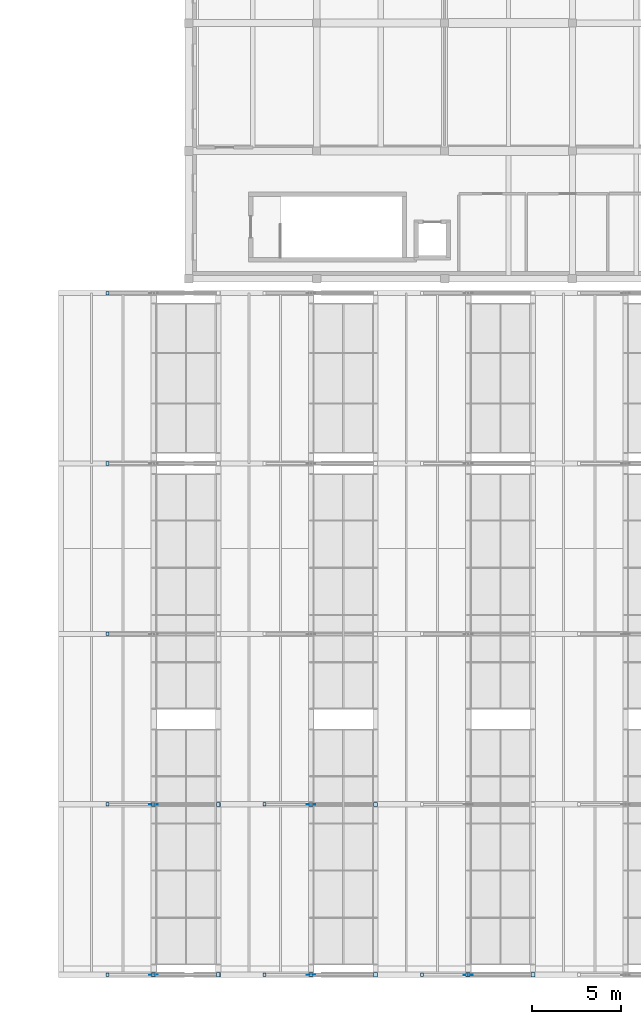
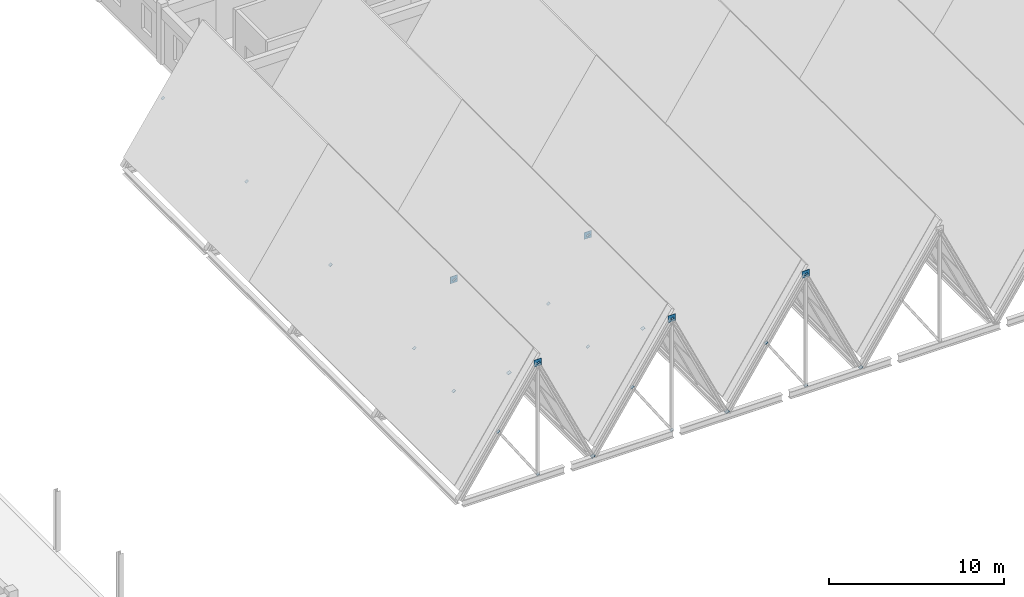
# One storey, part 77 of 99: 28 plates.
"""IFC4 building model written with IfcOpenShell, lengths in metres."""

from ifc_helpers import new_model, si_unit, direction, frame, origin, origin_2d, place, context, subcontext, project, spatial, rectangle, extrude, material, layer, layer_set, type_object, element, save


model = new_model("IFC4")

# Units and contexts
model_context = context("Model", 3, precision=1e-05, world=origin(), true_north=direction((0.0, 1.0)))
body_context = subcontext(model_context, "Body", "Model", "MODEL_VIEW")
ifc_project = project(units=[si_unit("LENGTHUNIT", "METRE"), si_unit("AREAUNIT", "SQUARE_METRE"), si_unit("VOLUMEUNIT", "CUBIC_METRE"), si_unit("PLANEANGLEUNIT", "RADIAN"), si_unit("MASSUNIT", "GRAM", prefix="KILO")], contexts=[model_context])

# Site, building, storey
site_placement = place(None, origin())
site = spatial("IfcSite", under=ifc_project, at=site_placement, CompositionType="ELEMENT")
building_placement = place(site_placement, origin())
building = spatial("IfcBuilding", under=site, at=building_placement, Name="Bramveld Media Centre", CompositionType="ELEMENT")
storey_placement = place(building_placement, frame((0.0, 0.0, 13.800048828125)))
storey = spatial("IfcBuildingStorey", under=building, at=storey_placement, Name="L03", CompositionType="ELEMENT", Elevation=13.800048828125)

# Plates
ifc_material_1 = material(Name="Steel S355J2", Category="steel")
ifc_layer_1 = layer(ifc_material_1, 0.010009765625)
ifc_layer_set_1 = layer_set([ifc_layer_1], Name="Steel S355J2")
plate_type_1 = type_object("IfcPlateType", Name="PLT-CAP-10", PredefinedType="USERDEFINED", material=ifc_layer_set_1)
for number, where, z_axis, x_axis, name in (
    (1, (129.219970703125, 0.0, 0.0), (0.556174588167, 0.0, -0.83106547725), (0.0, 1.0, 0.0), "Hollow section end cap plate CAP-TRUSS-V1-B01-F1-W0"),
    (2, (126.60986328125, 0.0, 3.89990234375), (-0.556174588167, 0.0, 0.83106547725), (0.0, -1.0, 0.0), "Hollow section end cap plate CAP-TRUSS-V1-B01-F1-W1"),
    (3, (129.219970703125, 9.60009765625, 0.0), (0.556174588167, 0.0, -0.83106547725), (0.0, 1.0, 0.0), "Hollow section end cap plate CAP-TRUSS-V1-B01-F2-W0"),
    (4, (126.60986328125, 9.60009765625, 3.89990234375), (-0.556174588167, 0.0, 0.83106547725), (0.0, -1.0, 0.0), "Hollow section end cap plate CAP-TRUSS-V1-B01-F2-W1"),
    (5, (126.60986328125, 19.199951171875, 3.89990234375), (-0.556174588167, 0.0, 0.83106547725), (0.0, -1.0, 0.0), "Hollow section end cap plate CAP-TRUSS-V1-B01-F3-W1"),
    (6, (126.60986328125, 28.800048828125, 3.89990234375), (-0.556174588167, 0.0, 0.83106547725), (0.0, -1.0, 0.0), "Hollow section end cap plate CAP-TRUSS-V1-B01-F4-W1"),
    (7, (126.60986328125, 38.39990234375, 3.89990234375), (-0.556174588167, 0.0, 0.83106547725), (0.0, -1.0, 0.0), "Hollow section end cap plate CAP-TRUSS-V1-B01-F5-W1"),
    (8, (138.0771484375, 0.0, 0.0), (0.556159869959, 0.0, -0.831075326939), (0.0, 1.0, 0.0), "Hollow section end cap plate CAP-TRUSS-V1-B02-F1-W0"),
    (9, (135.467041015625, 0.0, 3.89990234375), (-0.556159869959, 0.0, 0.831075326939), (0.0, -1.0, 0.0), "Hollow section end cap plate CAP-TRUSS-V1-B02-F1-W1"),
):
    element("IfcPlate", number, at=place(storey_placement, frame(where, z_axis=z_axis, x_axis=x_axis)), inside=storey, type_object=plate_type_1, Name=name, ObjectType="CAP PLATE", PredefinedType="USERDEFINED", context=body_context, shape_type="SweptSolid", body=[
        extrude(rectangle(XDim=0.199951171875, YDim=0.199951171875, at=origin_2d()), origin(), (0.0, 0.0, 1.0), 0.010009765625),
    ])
plate_1_placement = place(storey_placement, frame((141.714111328125, 9.60009765625, 0.0), z_axis=(0.422627830907, 0.0, -0.9063033248), x_axis=(0.0, 1.0, 0.0)))
element("IfcPlate", 10, at=plate_1_placement, inside=storey, type_object=plate_type_1, Name="Hollow section end cap plate CAP-TRUSS-V1-B02-F2-B", ObjectType="CAP PLATE", PredefinedType="USERDEFINED", context=body_context, shape_type="SweptSolid", body=[
    extrude(rectangle(XDim=0.239990234375, YDim=0.239990234375, at=origin_2d()), origin(), (0.0, 0.0, 1.0), 0.010009765625),
])
for number, where, z_axis, x_axis, name in (
    (11, (138.0771484375, 9.60009765625, 0.0), (0.556159869959, 0.0, -0.831075326939), (0.0, 1.0, 0.0), "Hollow section end cap plate CAP-TRUSS-V1-B02-F2-W0"),
    (12, (135.467041015625, 9.60009765625, 3.89990234375), (-0.556159869959, 0.0, 0.831075326939), (0.0, -1.0, 0.0), "Hollow section end cap plate CAP-TRUSS-V1-B02-F2-W1"),
):
    element("IfcPlate", number, at=place(storey_placement, frame(where, z_axis=z_axis, x_axis=x_axis)), inside=storey, type_object=plate_type_1, Name=name, ObjectType="CAP PLATE", PredefinedType="USERDEFINED", context=body_context, shape_type="SweptSolid", body=[
        extrude(rectangle(XDim=0.199951171875, YDim=0.199951171875, at=origin_2d()), origin(), (0.0, 0.0, 1.0), 0.010009765625),
    ])
plate_2_placement = place(storey_placement, frame((150.5712890625, 0.0, 0.0), z_axis=(0.422618287099, 0.0, -0.906307775212), x_axis=(0.0, 1.0, 0.0)))
element("IfcPlate", 13, at=plate_2_placement, inside=storey, type_object=plate_type_1, Name="Hollow section end cap plate CAP-TRUSS-V1-B03-F1-B", ObjectType="CAP PLATE", PredefinedType="USERDEFINED", context=body_context, shape_type="SweptSolid", body=[
    extrude(rectangle(XDim=0.239990234375, YDim=0.239990234375, at=origin_2d()), origin(), (0.0, 0.0, 1.0), 0.010009765625),
])
for number, where, z_axis, x_axis, name in (
    (14, (146.934326171875, 0.0, 0.0), (0.556159869959, 0.0, -0.831075326939), (0.0, 1.0, 0.0), "Hollow section end cap plate CAP-TRUSS-V1-B03-F1-W0"),
    (15, (144.32421875, 0.0, 3.89990234375), (-0.556159869959, 0.0, 0.831075326939), (0.0, -1.0, 0.0), "Hollow section end cap plate CAP-TRUSS-V1-B03-F1-W1"),
):
    element("IfcPlate", number, at=place(storey_placement, frame(where, z_axis=z_axis, x_axis=x_axis)), inside=storey, type_object=plate_type_1, Name=name, ObjectType="CAP PLATE", PredefinedType="USERDEFINED", context=body_context, shape_type="SweptSolid", body=[
        extrude(rectangle(XDim=0.199951171875, YDim=0.199951171875, at=origin_2d()), origin(), (0.0, 0.0, 1.0), 0.010009765625),
    ])
ifc_material_2 = material(Name="Steel S355J2", Category="steel")
ifc_layer_2 = layer(ifc_material_2, 0.013916015625)
ifc_layer_set_2 = layer_set([ifc_layer_2], Name="Steel S355J2")
plate_type_2 = type_object("IfcPlateType", Name="PLT-CAP-14", PredefinedType="USERDEFINED", material=ifc_layer_set_2)
plate_3_placement = place(storey_placement, frame((129.2197265625, 0.0, 7.7998046875), z_axis=(-0.422618287099, 0.0, 0.906307775212), x_axis=(0.0, -1.0, 0.0)))
element("IfcPlate", 16, at=plate_3_placement, inside=storey, type_object=plate_type_2, Name="Hollow section end cap plate CAP-TRUSS-V1-B01-F1-A", ObjectType="CAP PLATE", PredefinedType="USERDEFINED", context=body_context, shape_type="SweptSolid", body=[
    extrude(rectangle(XDim=0.239990234375, YDim=0.239990234375, at=origin_2d()), origin(), (0.0, 0.0, 1.0), 0.013916015625),
])
ifc_material_3 = material(Name="Steel S355J2", Category="steel")
ifc_layer_3 = layer(ifc_material_3, 0.01806640625)
ifc_layer_set_3 = layer_set([ifc_layer_3], Name="Steel S355J2")
plate_type_3 = type_object("IfcPlateType", Name="PLT-CAP-18", PredefinedType="USERDEFINED", material=ifc_layer_set_3)
for number, where, z_axis, x_axis, name in (
    (17, (132.85693359375, 0.0, 0.0), (0.422618287099, 0.0, -0.906307775212), (0.0, 1.0, 0.0), "Hollow section end cap plate CAP-TRUSS-V1-B01-F1-B"),
    (18, (129.219970703125, 9.60009765625, 7.7998046875), (-0.422618287099, 0.0, 0.906307775212), (0.0, -1.0, 0.0), "Hollow section end cap plate CAP-TRUSS-V1-B01-F2-A"),
    (19, (138.0771484375, 0.0, 7.7998046875), (-0.422627830907, 0.0, 0.9063033248), (0.0, -1.0, 0.0), "Hollow section end cap plate CAP-TRUSS-V1-B02-F1-A"),
):
    element("IfcPlate", number, at=place(storey_placement, frame(where, z_axis=z_axis, x_axis=x_axis)), inside=storey, type_object=plate_type_3, Name=name, ObjectType="CAP PLATE", PredefinedType="USERDEFINED", context=body_context, shape_type="SweptSolid", body=[
        extrude(rectangle(XDim=0.239990234375, YDim=0.239990234375, at=origin_2d()), origin(), (0.0, 0.0, 1.0), 0.01806640625),
    ])
ifc_material_4 = material(Name="Steel S355J2", Category="steel")
ifc_layer_4 = layer(ifc_material_4, 0.02197265625)
ifc_layer_set_4 = layer_set([ifc_layer_4], Name="Steel S355J2")
plate_type_4 = type_object("IfcPlateType", Name="PLT-CAP-22", PredefinedType="USERDEFINED", material=ifc_layer_set_4)
for number, where, z_axis, x_axis, name in (
    (20, (132.857177734375, 9.60009765625, 0.0), (0.422618287099, 0.0, -0.906307775212), (0.0, 1.0, 0.0), "Hollow section end cap plate CAP-TRUSS-V1-B01-F2-B"),
    (21, (141.71435546875, 0.0, 0.0), (0.422627830907, 0.0, -0.9063033248), (0.0, 1.0, 0.0), "Hollow section end cap plate CAP-TRUSS-V1-B02-F1-B"),
    (22, (138.0771484375, 9.60009765625, 7.800048828125), (-0.422627830907, 0.0, 0.9063033248), (0.0, -1.0, 0.0), "Hollow section end cap plate CAP-TRUSS-V1-B02-F2-A"),
    (23, (146.934326171875, 0.0, 7.800048828125), (-0.422618287099, 0.0, 0.906307775212), (0.0, -1.0, 0.0), "Hollow section end cap plate CAP-TRUSS-V1-B03-F1-A"),
):
    element("IfcPlate", number, at=place(storey_placement, frame(where, z_axis=z_axis, x_axis=x_axis)), inside=storey, type_object=plate_type_4, Name=name, ObjectType="CAP PLATE", PredefinedType="USERDEFINED", context=body_context, shape_type="SweptSolid", body=[
        extrude(rectangle(XDim=0.239990234375, YDim=0.239990234375, at=origin_2d()), origin(), (0.0, 0.0, 1.0), 0.02197265625),
    ])
ifc_material_5 = material(Name="Steel S355J2", Category="steel")
ifc_layer_5 = layer(ifc_material_5, 0.011962890625)
ifc_layer_set_5 = layer_set([ifc_layer_5], Name="Steel S355J2")
plate_type_5 = type_object("IfcPlateType", Name="PLT-GUSSET-12", PredefinedType="USERDEFINED", material=ifc_layer_set_5)
plate_4_placement = place(storey_placement, frame((138.076904296875, 0.0, 7.56005859375), z_axis=(0.0, 0.0, 1.0), x_axis=(1.0, 0.0, 0.0)))
element("IfcPlate", 24, at=plate_4_placement, inside=storey, type_object=plate_type_5, Name="TRUSS-V1-B02-F1 apex node gusset plate", ObjectType="GUSSET PLATE", PredefinedType="USERDEFINED", context=body_context, shape_type="SweptSolid", body=[
    extrude(rectangle(XDim=0.47998046875, YDim=0.011962890625, at=origin_2d()), origin(), (0.0, 0.0, 1.0), 0.47998046875),
])
ifc_material_6 = material(Name="Steel S355J2", Category="steel")
ifc_layer_6 = layer(ifc_material_6, 0.01611328125)
ifc_layer_set_6 = layer_set([ifc_layer_6], Name="Steel S355J2")
plate_type_6 = type_object("IfcPlateType", Name="PLT-GUSSET-16", PredefinedType="USERDEFINED", material=ifc_layer_set_6)
for number, where, z_axis, x_axis, name in (
    (25, (129.219970703125, 0.0, 7.56005859375), (0.0, 0.0, 1.0), (1.0, 0.0, 0.0), "TRUSS-V1-B01-F1 apex node gusset plate"),
    (26, (138.076904296875, 9.60009765625, 7.56005859375), (0.0, 0.0, 1.0), (1.0, 0.0, 0.0), "TRUSS-V1-B02-F2 apex node gusset plate"),
):
    element("IfcPlate", number, at=place(storey_placement, frame(where, z_axis=z_axis, x_axis=x_axis)), inside=storey, type_object=plate_type_6, Name=name, ObjectType="GUSSET PLATE", PredefinedType="USERDEFINED", context=body_context, shape_type="SweptSolid", body=[
        extrude(rectangle(XDim=0.47998046875, YDim=0.01611328125, at=origin_2d()), origin(), (0.0, 0.0, 1.0), 0.47998046875),
    ])
ifc_material_7 = material(Name="Steel S355J2", Category="steel")
ifc_layer_7 = layer(ifc_material_7, 0.02001953125)
ifc_layer_set_7 = layer_set([ifc_layer_7], Name="Steel S355J2")
plate_type_7 = type_object("IfcPlateType", Name="PLT-GUSSET-20", PredefinedType="USERDEFINED", material=ifc_layer_set_7)
plate_5_placement = place(storey_placement, frame((129.219970703125, 9.60009765625, 7.56005859375), z_axis=(0.0, 0.0, 1.0), x_axis=(1.0, 0.0, 0.0)))
element("IfcPlate", 27, at=plate_5_placement, inside=storey, type_object=plate_type_7, Name="TRUSS-V1-B01-F2 apex node gusset plate", ObjectType="GUSSET PLATE", PredefinedType="USERDEFINED", context=body_context, shape_type="SweptSolid", body=[
    extrude(rectangle(XDim=0.47998046875, YDim=0.02001953125, at=origin_2d()), origin(), (0.0, 0.0, 1.0), 0.47998046875),
])
ifc_material_8 = material(Name="Steel S355J2", Category="steel")
ifc_layer_8 = layer(ifc_material_8, 0.030029296875)
ifc_layer_set_8 = layer_set([ifc_layer_8], Name="Steel S355J2")
plate_type_8 = type_object("IfcPlateType", Name="PLT-GUSSET-30", PredefinedType="USERDEFINED", material=ifc_layer_set_8)
plate_6_placement = place(storey_placement, frame((146.93408203125, 0.0, 7.56005859375), z_axis=(0.0, 0.0, 1.0), x_axis=(1.0, 0.0, 0.0)))
element("IfcPlate", 28, at=plate_6_placement, inside=storey, type_object=plate_type_8, Name="TRUSS-V1-B03-F1 apex node gusset plate", ObjectType="GUSSET PLATE", PredefinedType="USERDEFINED", context=body_context, shape_type="SweptSolid", body=[
    extrude(rectangle(XDim=0.47998046875, YDim=0.030029296875, at=origin_2d()), origin(), (0.0, 0.0, 1.0), 0.47998046875),
])

save(model, "model.ifc")
